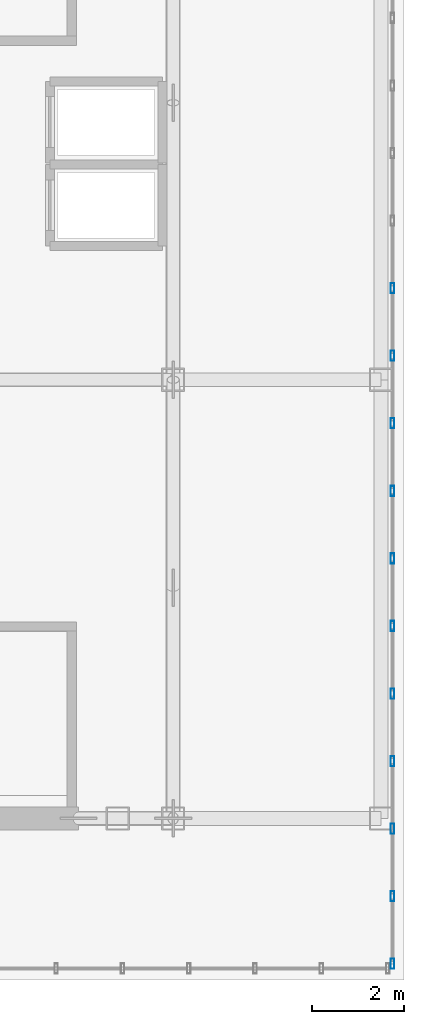
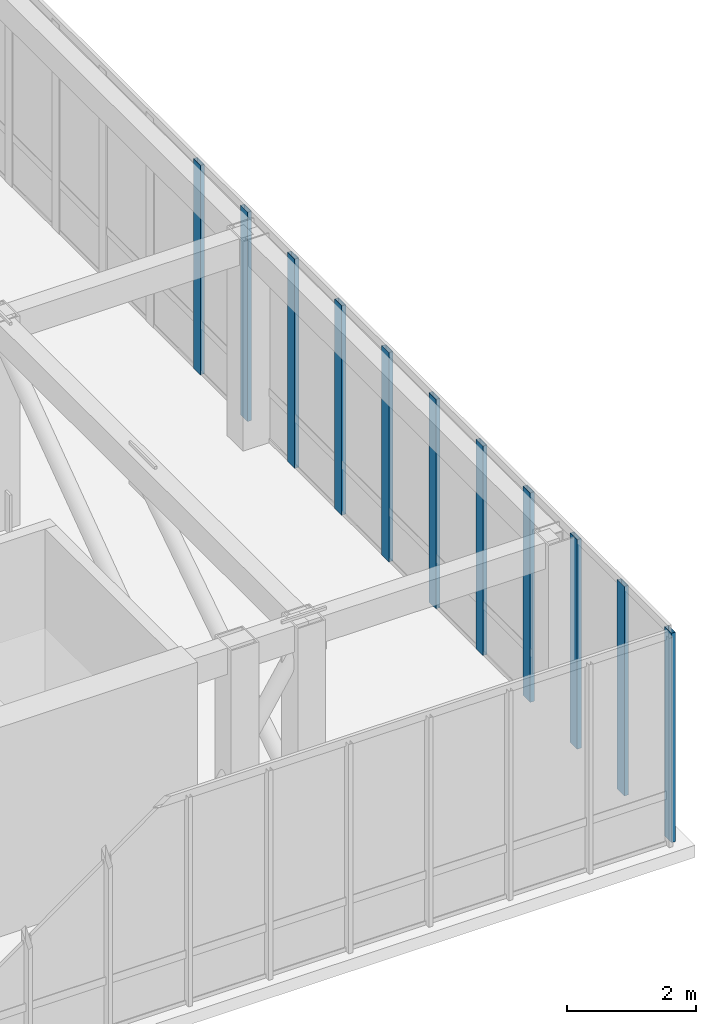
# One storey, part 5 of 13: 11 members, 1 element without a shape of its own.
"""IFC4 building model written with IfcOpenShell, lengths in metres."""

import ifcopenshell
import ifcopenshell.guid

model = None  # the IFC model being written
_history = None  # IfcOwnerHistory: only IFC2X3 demands one
_inside = {}  # id of a spatial element -> (the spatial element, [elements in it])
_under = {}  # id of a project, library or spatial element -> (it, [spatial elements below it])
_declared = {}  # id of a project -> (the project, [libraries it declares])
_typed = {}  # id of a type object -> (the type object, [elements of that type])
_made_of = {}  # id of a material, layer set ... -> (it, [elements and type objects made of it])


def new_model(schema):
    """Start an empty IFC model of exactly this schema.

    Asked for "IFC4X3", IfcOpenShell would pick the latest addendum, in which some entities
    have other attributes; the version numbers below select the first issue.
    IFC2X3 requires an IfcOwnerHistory on every rooted entity: one is made here for all.
    """
    global model, _history
    if schema == "IFC4X3":
        model = ifcopenshell.file(schema_version=(4, 3, 0, 0))
    else:
        model = ifcopenshell.file(schema=schema)
    _inside.clear()
    _under.clear()
    _declared.clear()
    _typed.clear()
    _made_of.clear()
    _history = None
    if model.schema == "IFC2X3":
        org = make("IfcOrganization", Name="unknown")
        user = make(
            "IfcPersonAndOrganization",
            ThePerson=make("IfcPerson", FamilyName="unknown"),
            TheOrganization=org,
        )
        app = make(
            "IfcApplication",
            ApplicationDeveloper=org,
            Version="unknown",
            ApplicationFullName="unknown",
            ApplicationIdentifier="unknown",
        )
        _history = make(
            "IfcOwnerHistory",
            OwningUser=user,
            OwningApplication=app,
            ChangeAction="ADDED",
            CreationDate=0,
        )
    return model


def make(cls, **values):
    """One entity of the class cls with the attributes given. An attribute that is None is left unset."""
    return model.create_entity(
        cls, **{name: value for name, value in values.items() if value is not None}
    )


def rooted(cls, **values):
    """An entity with a GlobalId (a new one), such as an element, a storey or a relation."""
    return make(cls, GlobalId=ifcopenshell.guid.new(), OwnerHistory=_history, **values)


def si_unit(unit_type, name, prefix=None):
    """IfcSIUnit, for example si_unit("LENGTHUNIT", "METRE", prefix="MILLI")."""
    return make("IfcSIUnit", UnitType=unit_type, Prefix=prefix, Name=name)


def assignment(units):
    """IfcUnitAssignment: the units of a project."""
    return None if units is None else make("IfcUnitAssignment", Units=units)


def point(xyz):
    """IfcCartesianPoint."""
    return None if xyz is None else make("IfcCartesianPoint", Coordinates=xyz)


def direction(xyz):
    """IfcDirection."""
    return None if xyz is None else make("IfcDirection", DirectionRatios=xyz)


def frame(location, z_axis=None, x_axis=None):
    """IfcAxis2Placement3D, a coordinate frame: its origin and axes. An axis left out is left unset."""
    return make(
        "IfcAxis2Placement3D",
        Location=point(location),
        Axis=direction(z_axis),
        RefDirection=direction(x_axis),
    )


def frame_2d(location, x_axis=None):
    """IfcAxis2Placement2D, a coordinate frame in the plane: its origin and x axis."""
    return make(
        "IfcAxis2Placement2D", Location=point(location), RefDirection=direction(x_axis)
    )


def origin():
    """The frame at (0, 0, 0) with its axes left unset."""
    return frame((0.0, 0.0, 0.0))


def origin_2d():
    """The frame at (0, 0) in the plane with its x axis left unset."""
    return frame_2d((0.0, 0.0))


def place(relative_to, where):
    """IfcLocalPlacement: puts the frame where relative to a parent placement (None: the world)."""
    return make(
        "IfcLocalPlacement", PlacementRelTo=relative_to, RelativePlacement=where
    )


def context(
    kind, dimensions, precision=None, world=None, true_north=None, identifier=None
):
    """IfcGeometricRepresentationContext, for example the 3D "Model" context."""
    return make(
        "IfcGeometricRepresentationContext",
        ContextIdentifier=identifier,
        ContextType=kind,
        CoordinateSpaceDimension=dimensions,
        Precision=precision,
        WorldCoordinateSystem=world,
        TrueNorth=true_north,
    )


def subcontext(parent, identifier, kind, view, scale=None):
    """IfcGeometricRepresentationSubContext, for example "Body" below "Model"."""
    return make(
        "IfcGeometricRepresentationSubContext",
        ContextIdentifier=identifier,
        ContextType=kind,
        ParentContext=parent,
        TargetScale=scale,
        TargetView=view,
    )


def project(units=None, contexts=None):
    """IfcProject with its units and contexts."""
    return rooted(
        "IfcProject",
        Name="project",
        RepresentationContexts=contexts,
        UnitsInContext=assignment(units),
    )


def spatial(cls, under=None, at=None, **own):
    """A site, building, storey or space (cls), placed at a placement, below another one or the project."""
    s = rooted(cls, ObjectPlacement=at, **own)
    if under is not None:
        _under.setdefault(under.id(), (under, []))[1].append(s)
    return s


def profile(cls, at=None, kind="AREA", **sizes):
    """A parametric profile (cls). Its sizes go by their IFC names, for example OverallWidth=200.0."""
    return make(cls, ProfileType=kind, Position=at, **sizes)


def hollow_rectangle(**sizes):
    """IfcRectangleHollowProfileDef."""
    return profile("IfcRectangleHollowProfileDef", **sizes)


def extrude(swept, where, along, depth):
    """IfcExtrudedAreaSolid: the profile swept, set in the frame where, extruded along a direction by depth."""
    return make(
        "IfcExtrudedAreaSolid",
        SweptArea=swept,
        Position=where,
        ExtrudedDirection=direction(along),
        Depth=depth,
    )


def shape(context_of_items, identifier, shape_type, items):
    """IfcShapeRepresentation: the items that make up one representation, for example the "Body"."""
    return make(
        "IfcShapeRepresentation",
        ContextOfItems=context_of_items,
        RepresentationIdentifier=identifier,
        RepresentationType=shape_type,
        Items=items,
    )


def source(mapping_origin, context_of_items, identifier, shape_type, items):
    """IfcRepresentationMap: a shape defined once, which mapped items show again and again."""
    return make(
        "IfcRepresentationMap",
        MappingOrigin=mapping_origin,
        MappedRepresentation=shape(context_of_items, identifier, shape_type, items),
    )


def transform(
    local_origin,
    x_axis=None,
    y_axis=None,
    z_axis=None,
    scale=None,
    scale2=None,
    scale3=None,
    uniform=True,
):
    """IfcCartesianTransformationOperator3D, or its non-uniform kind. x_axis, y_axis, z_axis: its Axis1, 2, 3."""
    if uniform:
        return make(
            "IfcCartesianTransformationOperator3D",
            Axis1=direction(x_axis),
            Axis2=direction(y_axis),
            LocalOrigin=point(local_origin),
            Scale=scale,
            Axis3=direction(z_axis),
        )
    return make(
        "IfcCartesianTransformationOperator3DnonUniform",
        Axis1=direction(x_axis),
        Axis2=direction(y_axis),
        LocalOrigin=point(local_origin),
        Scale=scale,
        Axis3=direction(z_axis),
        Scale2=scale2,
        Scale3=scale3,
    )


def mapped(mapping_source, mapping_target):
    """IfcMappedItem: shows the shape of a source again, moved by a transform."""
    return make(
        "IfcMappedItem", MappingSource=mapping_source, MappingTarget=mapping_target
    )


def material(Name=None, Category=None):
    """IfcMaterial."""
    return make("IfcMaterial", Name=Name, Category=Category)


def layer(
    of_material, thickness, ventilated=None, Name=None, Category=None, Priority=None
):
    """IfcMaterialLayer: one layer of a wall or slab, of a material (None: an air gap)."""
    return make(
        "IfcMaterialLayer",
        Material=of_material,
        LayerThickness=thickness,
        IsVentilated=ventilated,
        Name=Name,
        Category=Category,
        Priority=Priority,
    )


def layer_set(layers, Name=None):
    """IfcMaterialLayerSet."""
    return make("IfcMaterialLayerSet", MaterialLayers=layers, LayerSetName=Name)


def material_profile(
    of_material, cross_section, Name=None, Category=None, Priority=None
):
    """IfcMaterialProfile: a cross section and its material."""
    return make(
        "IfcMaterialProfile",
        Name=Name,
        Material=of_material,
        Profile=cross_section,
        Priority=Priority,
        Category=Category,
    )


def profile_set(profiles, Name=None, composite=None):
    """IfcMaterialProfileSet."""
    return make(
        "IfcMaterialProfileSet",
        Name=Name,
        MaterialProfiles=profiles,
        CompositeProfile=composite,
    )


def made_of(thing, what):
    """Note that an element or type object is made of a material, layer set ...; save() writes the relation."""
    if what is not None:
        _made_of.setdefault(what.id(), (what, []))[1].append(thing)
    return thing


def type_object(cls, material=None, **own):
    """A type object (cls), such as IfcWallType, which elements share."""
    return made_of(rooted(cls, **own), material)


def element(
    cls,
    number,
    at=None,
    inside=None,
    cuts=None,
    type_object=None,
    material=None,
    context=None,
    identifier="Body",
    shape_type=None,
    held_by="IfcProductDefinitionShape",
    body=None,
    shapes=None,
    **own,
):
    """One element of the class cls, such as IfcWall. Its Tag is "e" and its number.

    at: its placement. inside: the storey or other place that contains it. cuts: it is an
    opening in that element (IfcRelVoidsElement). A single representation is given by context,
    identifier, shape_type and body (its items); several are given by shapes. held_by: the class
    of the entity that holds the representations. save() writes the other relations.
    """
    e = rooted(cls, Tag="e%d" % number, ObjectPlacement=at, **own)
    if body is not None:
        shapes = [shape(context, identifier, shape_type, body)]
    if shapes is not None:
        e.Representation = make(held_by, Representations=shapes)
    if inside is not None:
        _inside.setdefault(inside.id(), (inside, []))[1].append(e)
    if cuts is not None:
        rooted(
            "IfcRelVoidsElement", RelatingBuildingElement=cuts, RelatedOpeningElement=e
        )
    if type_object is not None:
        _typed.setdefault(type_object.id(), (type_object, []))[1].append(e)
    return made_of(e, material)


def aggregate(whole, parts):
    """IfcRelAggregates: a whole, such as a stair, and the parts it consists of."""
    return rooted("IfcRelAggregates", RelatingObject=whole, RelatedObjects=parts)


def save(model, path):
    """Write the relations noted so far, then the file.

    IfcRelAggregates (storeys below a building ...), IfcRelContainedInSpatialStructure (elements
    in a storey), IfcRelDefinesByType, IfcRelAssociatesMaterial and IfcRelDeclares: one each for
    every whole, place, type object, material and project.
    """
    for whole, parts in _under.values():
        aggregate(whole, parts)
    for where, things in _inside.values():
        rooted(
            "IfcRelContainedInSpatialStructure",
            RelatedElements=things,
            RelatingStructure=where,
        )
    for kind, things in _typed.values():
        rooted("IfcRelDefinesByType", RelatedObjects=things, RelatingType=kind)
    for what, things in _made_of.values():
        rooted("IfcRelAssociatesMaterial", RelatedObjects=things, RelatingMaterial=what)
    for by, libraries in _declared.values():
        rooted("IfcRelDeclares", RelatingContext=by, RelatedDefinitions=libraries)
    model.write(path)


model = new_model("IFC4")

# Units and contexts
model_context = context("Model", 3, precision=1e-05, world=origin(), true_north=direction((0.0, 1.0)))
body_context = subcontext(model_context, "Body", "Model", "MODEL_VIEW")
ifc_project = project(units=[si_unit("LENGTHUNIT", "METRE"), si_unit("AREAUNIT", "SQUARE_METRE"), si_unit("VOLUMEUNIT", "CUBIC_METRE"), si_unit("PLANEANGLEUNIT", "RADIAN"), si_unit("MASSUNIT", "GRAM", prefix="KILO")], contexts=[model_context])

# Site, building, storey
site_placement = place(None, origin())
site = spatial("IfcSite", under=ifc_project, at=site_placement, CompositionType="ELEMENT")
building_placement = place(site_placement, origin())
building = spatial("IfcBuilding", under=site, at=building_placement, Name="Kharzan Plaza Tower", CompositionType="ELEMENT")
storey_placement = place(building_placement, frame((0.0, 0.0, 294.0)))
storey = spatial("IfcBuildingStorey", under=building, at=storey_placement, Name="L79-CROWN", CompositionType="ELEMENT", Elevation=294.0)

# Curtain wall, members
ifc_material_1 = material(Name="Unitised Bronze-Anodized Aluminium and Low-E Glass", Category="aluminium")
ifc_layer = layer(ifc_material_1, 0.199951171875)
ifc_layer_set = layer_set([ifc_layer], Name="Unitised Bronze-Anodized Aluminium and Low-E Glass")
curtain_wall_type = type_object("IfcCurtainWallType", Name="CW-LANTERN-6", PredefinedType="NOTDEFINED", material=ifc_layer_set)
curtain_wall_placement = place(storey_placement, origin())
curtain_wall = element("IfcCurtainWall", 1, at=curtain_wall_placement, inside=storey, type_object=curtain_wall_type, Name="L79-CROWN Lantern Crown Illuminated Curtain Wall 2", PredefinedType="NOTDEFINED")
ifc_material_2 = material(Name="Anodized Bronze Aluminium", Category="aluminium")
ifc_material_profile = material_profile(ifc_material_2, hollow_rectangle(XDim=0.074951171875, YDim=0.219970703125, WallThickness=0.00390625, at=origin_2d()), Name="ALU-M220x75x4")
ifc_profile_set = profile_set([ifc_material_profile], Name="Anodized Bronze Aluminium")
member_type = type_object("IfcMemberType", Name="MEM-CW-MUL200", PredefinedType="MULLION", material=ifc_profile_set)
shared_shape = source(origin(), body_context, "Body", "SweptSolid", [
    extrude(hollow_rectangle(XDim=0.074951171875, YDim=0.219970703125, WallThickness=0.00390625, at=origin_2d()), origin(), (0.0, 0.0, 1.0), 3.969970703125),
])
member_1_placement = place(storey_placement, frame((19.25, 5.35009765625, 0.0), z_axis=(0.0, 0.0, 1.0), x_axis=(1.0, 0.0, 0.0)))
member_1 = element("IfcMember", 2, at=member_1_placement, type_object=member_type, Name="L79-CROWN Curtain-Wall Mullion 00", PredefinedType="MULLION", context=body_context, shape_type="MappedRepresentation", body=[
    mapped(shared_shape, transform((0.0, 0.0, 0.0), x_axis=(1.0, 0.0, 0.0), y_axis=(0.0, 1.0, 0.0), z_axis=(0.0, 0.0, 1.0))),
])
member_2_placement = place(storey_placement, frame((19.25, 6.813232421875, 0.0), z_axis=(0.0, 0.0, 1.0), x_axis=(1.0, 0.0, 0.0)))
member_2 = element("IfcMember", 3, at=member_2_placement, type_object=member_type, Name="L79-CROWN Curtain-Wall Mullion 01", PredefinedType="MULLION", context=body_context, shape_type="MappedRepresentation", body=[
    mapped(shared_shape, transform((0.0, 0.0, 0.0), x_axis=(1.0, 0.0, 0.0), y_axis=(0.0, 1.0, 0.0), z_axis=(0.0, 0.0, 1.0))),
])
member_3_placement = place(storey_placement, frame((19.25, 8.2763671875, 0.0), z_axis=(0.0, 0.0, 1.0), x_axis=(1.0, 0.0, 0.0)))
member_3 = element("IfcMember", 4, at=member_3_placement, type_object=member_type, Name="L79-CROWN Curtain-Wall Mullion 02", PredefinedType="MULLION", context=body_context, shape_type="MappedRepresentation", body=[
    mapped(shared_shape, transform((0.0, 0.0, 0.0), x_axis=(1.0, 0.0, 0.0), y_axis=(0.0, 1.0, 0.0), z_axis=(0.0, 0.0, 1.0))),
])
member_4_placement = place(storey_placement, frame((19.25, 9.739501953125, 0.0), z_axis=(0.0, 0.0, 1.0), x_axis=(1.0, 0.0, 0.0)))
member_4 = element("IfcMember", 5, at=member_4_placement, type_object=member_type, Name="L79-CROWN Curtain-Wall Mullion 03", PredefinedType="MULLION", context=body_context, shape_type="MappedRepresentation", body=[
    mapped(shared_shape, transform((0.0, 0.0, 0.0), x_axis=(1.0, 0.0, 0.0), y_axis=(0.0, 1.0, 0.0), z_axis=(0.0, 0.0, 1.0))),
])
member_5_placement = place(storey_placement, frame((19.25, 11.20263671875, 0.0), z_axis=(0.0, 0.0, 1.0), x_axis=(1.0, 0.0, 0.0)))
member_5 = element("IfcMember", 6, at=member_5_placement, type_object=member_type, Name="L79-CROWN Curtain-Wall Mullion 04", PredefinedType="MULLION", context=body_context, shape_type="MappedRepresentation", body=[
    mapped(shared_shape, transform((0.0, 0.0, 0.0), x_axis=(1.0, 0.0, 0.0), y_axis=(0.0, 1.0, 0.0), z_axis=(0.0, 0.0, 1.0))),
])
member_6_placement = place(storey_placement, frame((19.25, 12.665771484375, 0.0), z_axis=(0.0, 0.0, 1.0), x_axis=(1.0, 0.0, 0.0)))
member_6 = element("IfcMember", 7, at=member_6_placement, type_object=member_type, Name="L79-CROWN Curtain-Wall Mullion 05", PredefinedType="MULLION", context=body_context, shape_type="MappedRepresentation", body=[
    mapped(shared_shape, transform((0.0, 0.0, 0.0), x_axis=(1.0, 0.0, 0.0), y_axis=(0.0, 1.0, 0.0), z_axis=(0.0, 0.0, 1.0))),
])
member_7_placement = place(storey_placement, frame((19.25, 14.12890625, 0.0), z_axis=(0.0, 0.0, 1.0), x_axis=(1.0, 0.0, 0.0)))
member_7 = element("IfcMember", 8, at=member_7_placement, type_object=member_type, Name="L79-CROWN Curtain-Wall Mullion 06", PredefinedType="MULLION", context=body_context, shape_type="MappedRepresentation", body=[
    mapped(shared_shape, transform((0.0, 0.0, 0.0), x_axis=(1.0, 0.0, 0.0), y_axis=(0.0, 1.0, 0.0), z_axis=(0.0, 0.0, 1.0))),
])
member_8_placement = place(storey_placement, frame((19.25, 15.592041015625, 0.0), z_axis=(0.0, 0.0, 1.0), x_axis=(1.0, 0.0, 0.0)))
member_8 = element("IfcMember", 9, at=member_8_placement, type_object=member_type, Name="L79-CROWN Curtain-Wall Mullion 07", PredefinedType="MULLION", context=body_context, shape_type="MappedRepresentation", body=[
    mapped(shared_shape, transform((0.0, 0.0, 0.0), x_axis=(1.0, 0.0, 0.0), y_axis=(0.0, 1.0, 0.0), z_axis=(0.0, 0.0, 1.0))),
])
member_9_placement = place(storey_placement, frame((19.25, 17.055419921875, 0.0), z_axis=(0.0, 0.0, 1.0), x_axis=(1.0, 0.0, 0.0)))
member_9 = element("IfcMember", 10, at=member_9_placement, type_object=member_type, Name="L79-CROWN Curtain-Wall Mullion 08", PredefinedType="MULLION", context=body_context, shape_type="MappedRepresentation", body=[
    mapped(shared_shape, transform((0.0, 0.0, 0.0), x_axis=(1.0, 0.0, 0.0), y_axis=(0.0, 1.0, 0.0), z_axis=(0.0, 0.0, 1.0))),
])
member_10_placement = place(storey_placement, frame((19.25, 18.518310546875, 0.0), z_axis=(0.0, 0.0, 1.0), x_axis=(1.0, 0.0, 0.0)))
member_10 = element("IfcMember", 11, at=member_10_placement, type_object=member_type, Name="L79-CROWN Curtain-Wall Mullion 09", PredefinedType="MULLION", context=body_context, shape_type="MappedRepresentation", body=[
    mapped(shared_shape, transform((0.0, 0.0, 0.0), x_axis=(1.0, 0.0, 0.0), y_axis=(0.0, 1.0, 0.0), z_axis=(0.0, 0.0, 1.0))),
])
member_11_placement = place(storey_placement, frame((19.25, 19.981689453125, 0.0), z_axis=(0.0, 0.0, 1.0), x_axis=(1.0, 0.0, 0.0)))
member_11 = element("IfcMember", 12, at=member_11_placement, type_object=member_type, Name="L79-CROWN Curtain-Wall Mullion 10", PredefinedType="MULLION", context=body_context, shape_type="MappedRepresentation", body=[
    mapped(shared_shape, transform((0.0, 0.0, 0.0), x_axis=(1.0, 0.0, 0.0), y_axis=(0.0, 1.0, 0.0), z_axis=(0.0, 0.0, 1.0))),
])
aggregate(curtain_wall, [member_1, member_2, member_3, member_4, member_5, member_6, member_7, member_8, member_9, member_10, member_11])

save(model, "model.ifc")
